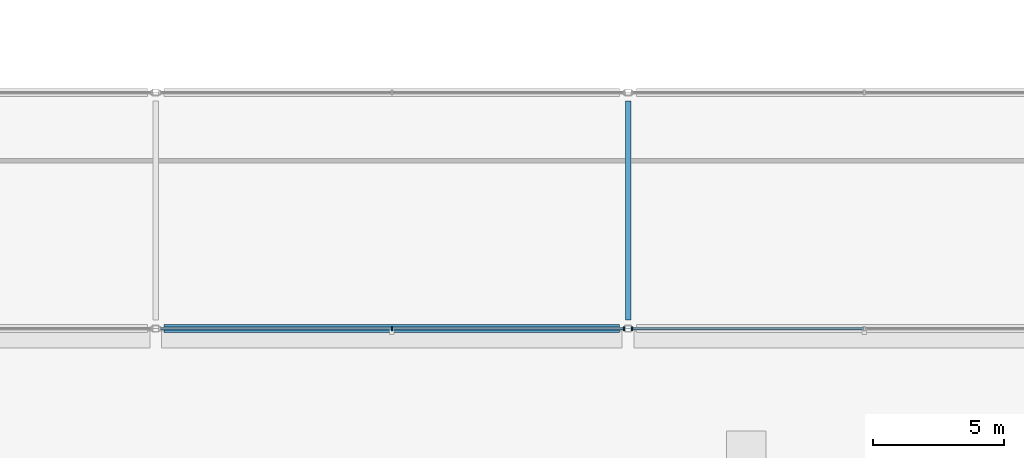
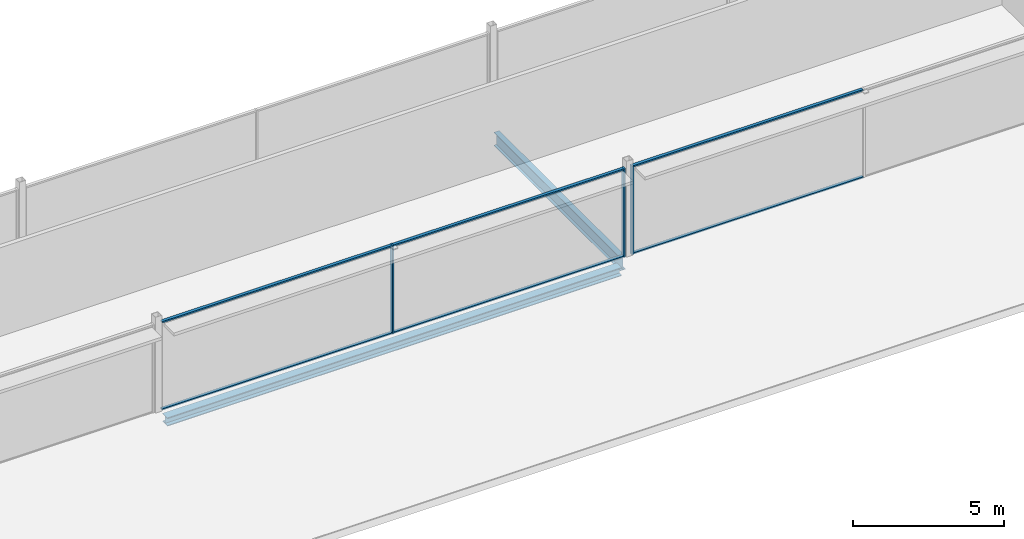
# One storey, part 34 of 105: 9 members, 2 beams, 2 elements without a shape of their own.
"""IFC4 building model written with IfcOpenShell, lengths in metres."""

from ifc_helpers import new_model, si_unit, direction, frame, origin, origin_2d, place, context, subcontext, project, spatial, rectangle, i_section, extrude, material, layer, layer_set, material_profile, profile_set, type_object, element, aggregate, save


model = new_model("IFC4")

# Units and contexts
model_context = context("Model", 3, precision=1e-05, world=origin(), true_north=direction((0.0, 1.0)))
body_context = subcontext(model_context, "Body", "Model", "MODEL_VIEW")
ifc_project = project(units=[si_unit("LENGTHUNIT", "METRE"), si_unit("AREAUNIT", "SQUARE_METRE"), si_unit("VOLUMEUNIT", "CUBIC_METRE"), si_unit("PLANEANGLEUNIT", "RADIAN"), si_unit("MASSUNIT", "GRAM", prefix="KILO")], contexts=[model_context])

# Site, building, storey
site_placement = place(None, origin())
site = spatial("IfcSite", under=ifc_project, at=site_placement, CompositionType="ELEMENT")
building_placement = place(site_placement, origin())
building = spatial("IfcBuilding", under=site, at=building_placement, Name="Kisiwana Market Hall", CompositionType="ELEMENT")
storey_placement = place(building_placement, frame((0.0, 0.0, 21.60009765625)))
storey = spatial("IfcBuildingStorey", under=building, at=storey_placement, Name="L04", CompositionType="ELEMENT", Elevation=21.60009765625)

# Beams
ifc_material_1 = material(Name="Steel S355", Category="steel")
ifc_material_profile_1 = material_profile(ifc_material_1, i_section(OverallWidth=0.209228515625, OverallDepth=0.533203125, WebThickness=0.010009765625, FlangeThickness=0.015625, at=origin_2d()), Name="UB 533x210x92")
ifc_profile_set_1 = profile_set([ifc_material_profile_1], Name="Steel S355")
beam_type_1 = type_object("IfcBeamType", Name="BM-GIRD-UB533", PredefinedType="BEAM", material=ifc_profile_set_1)
beam_1_placement = place(storey_placement, frame((81.0, 93.321044921875, -0.53173828125), z_axis=(0.0, 1.0, 0.0), x_axis=(-1.0, 0.0, 0.0)))
element("IfcBeam", 1, at=beam_1_placement, inside=storey, type_object=beam_type_1, Name="Primary girder B-1362", PredefinedType="BEAM", context=body_context, shape_type="SweptSolid", body=[
    extrude(i_section(OverallWidth=0.209228515625, OverallDepth=0.533203125, WebThickness=0.010009765625, FlangeThickness=0.015625, at=origin_2d()), origin(), (0.0, 0.0, 1.0), 8.35791015625),
])
ifc_material_2 = material(Name="Steel S355", Category="steel")
ifc_material_profile_2 = material_profile(ifc_material_2, i_section(OverallWidth=0.314453125, OverallDepth=0.33984375, WebThickness=0.01904296875, FlangeThickness=0.031494140625, at=origin_2d()), Name="UC 305x305x198")
ifc_profile_set_2 = profile_set([ifc_material_profile_2], Name="Steel S355")
beam_type_2 = type_object("IfcBeamType", Name="BM-SKYBR-CHORD", PredefinedType="BEAM", material=ifc_profile_set_2)
beam_2_placement = place(storey_placement, frame((63.321044921875, 93.0, -0.462158203125), z_axis=(1.0, 0.0, 0.0), x_axis=(0.0, 1.0, 0.0)))
element("IfcBeam", 2, at=beam_2_placement, inside=storey, type_object=beam_type_2, Name="Floor beam B-1462", PredefinedType="BEAM", context=body_context, shape_type="SweptSolid", body=[
    extrude(i_section(OverallWidth=0.314453125, OverallDepth=0.33984375, WebThickness=0.01904296875, FlangeThickness=0.031494140625, at=origin_2d()), origin(), (0.0, 0.0, 1.0), 17.35791015625),
])

# Curtain wall, members
ifc_material_3 = material(Name="Double-glazed solar-control low-E IGU", Category="glass")
ifc_layer = layer(ifc_material_3, 0.159912109375)
ifc_layer_set = layer_set([ifc_layer], Name="CW-ZNA-EW-8200")
curtain_wall_type = type_object("IfcCurtainWallType", Name="CW-ZNA-EW-8200", PredefinedType="USERDEFINED", material=ifc_layer_set)
curtain_wall_1_placement = place(storey_placement, origin())
curtain_wall_1 = element("IfcCurtainWall", 3, at=curtain_wall_1_placement, inside=storey, type_object=curtain_wall_type, Name="Unitised curtain wall CW-105 (L04)", ObjectType="UNITISED CURTAIN WALL", PredefinedType="USERDEFINED")
ifc_material_4 = material(Name="Aluminium alloy 6063-T6", Category="aluminium")
ifc_material_profile_3 = material_profile(ifc_material_4, rectangle(XDim=0.06005859375, YDim=0.159912109375, at=origin_2d()), Name="ALU MULLION 60x160")
ifc_profile_set_3 = profile_set([ifc_material_profile_3], Name="Aluminium alloy 6063-T6")
member_type_1 = type_object("IfcMemberType", Name="CW-MULL-60x160", PredefinedType="MULLION", material=ifc_profile_set_3)
member_1_placement = place(storey_placement, frame((72.0, 93.0, 0.0), z_axis=(0.0, 0.0, 1.0), x_axis=(1.0, 0.0, 0.0)))
member_1 = element("IfcMember", 4, at=member_1_placement, type_object=member_type_1, Name="CW-105 mullion 2", PredefinedType="MULLION", context=body_context, shape_type="SweptSolid", body=[
    extrude(rectangle(XDim=0.06005859375, YDim=0.159912109375, at=origin_2d()), origin(), (0.0, 0.0, 1.0), 3.5849609375),
])
member_2_placement = place(storey_placement, frame((80.844970703125, 93.0, 0.0), z_axis=(0.0, 0.0, 1.0), x_axis=(1.0, 0.0, 0.0)))
member_2 = element("IfcMember", 5, at=member_2_placement, type_object=member_type_1, Name="CW-105 mullion 3", PredefinedType="MULLION", context=body_context, shape_type="SweptSolid", body=[
    extrude(rectangle(XDim=0.06005859375, YDim=0.159912109375, at=origin_2d()), origin(), (0.0, 0.0, 1.0), 3.5849609375),
])

# Curtain wall, member
curtain_wall_2_placement = place(storey_placement, origin())
curtain_wall_2 = element("IfcCurtainWall", 6, at=curtain_wall_2_placement, inside=storey, type_object=curtain_wall_type, Name="Unitised curtain wall CW-106 (L04)", ObjectType="UNITISED CURTAIN WALL", PredefinedType="USERDEFINED")
member_3_placement = place(storey_placement, frame((81.155029296875, 93.0, 0.0), z_axis=(0.0, 0.0, 1.0), x_axis=(1.0, 0.0, 0.0)))
member_3 = element("IfcMember", 7, at=member_3_placement, type_object=member_type_1, Name="CW-106 mullion 1", PredefinedType="MULLION", context=body_context, shape_type="SweptSolid", body=[
    extrude(rectangle(XDim=0.06005859375, YDim=0.159912109375, at=origin_2d()), origin(), (0.0, 0.0, 1.0), 3.5849609375),
])

# Member
ifc_material_5 = material(Name="Aluminium alloy 6063-T6", Category="aluminium")
ifc_material_profile_4 = material_profile(ifc_material_5, rectangle(XDim=0.1201171875, YDim=0.06005859375, at=origin_2d()), Name="ALU TRANSOM 60x120")
ifc_profile_set_4 = profile_set([ifc_material_profile_4], Name="Aluminium alloy 6063-T6")
member_type_2 = type_object("IfcMemberType", Name="CW-TRAN-60x120", PredefinedType="USERDEFINED", material=ifc_profile_set_4)
member_4_placement = place(storey_placement, frame((63.18505859375, 93.0, 0.02978515625), z_axis=(1.0, 0.0, 0.0), x_axis=(0.0, 1.0, 0.0)))
member_4 = element("IfcMember", 8, at=member_4_placement, type_object=member_type_2, Name="CW-105 transom 1.1", ObjectType="TRANSOM", PredefinedType="USERDEFINED", context=body_context, shape_type="SweptSolid", body=[
    extrude(rectangle(XDim=0.1201171875, YDim=0.06005859375, at=origin_2d()), origin(), (0.0, 0.0, 1.0), 8.784912109375),
])

member_5_placement = place(storey_placement, frame((63.18505859375, 93.0, 3.554931640625), z_axis=(1.0, 0.0, 0.0), x_axis=(0.0, 1.0, 0.0)))
member_5 = element("IfcMember", 9, at=member_5_placement, type_object=member_type_2, Name="CW-105 transom 1.2", ObjectType="TRANSOM", PredefinedType="USERDEFINED", context=body_context, shape_type="SweptSolid", body=[
    extrude(rectangle(XDim=0.1201171875, YDim=0.06005859375, at=origin_2d()), origin(), (0.0, 0.0, 1.0), 8.784912109375),
])

member_6_placement = place(storey_placement, frame((72.030029296875, 93.0, 0.02978515625), z_axis=(1.0, 0.0, 0.0), x_axis=(0.0, 1.0, 0.0)))
member_6 = element("IfcMember", 10, at=member_6_placement, type_object=member_type_2, Name="CW-105 transom 2.1", ObjectType="TRANSOM", PredefinedType="USERDEFINED", context=body_context, shape_type="SweptSolid", body=[
    extrude(rectangle(XDim=0.1201171875, YDim=0.06005859375, at=origin_2d()), origin(), (0.0, 0.0, 1.0), 8.784912109375),
])

member_7_placement = place(storey_placement, frame((72.030029296875, 93.0, 3.554931640625), z_axis=(1.0, 0.0, 0.0), x_axis=(0.0, 1.0, 0.0)))
member_7 = element("IfcMember", 11, at=member_7_placement, type_object=member_type_2, Name="CW-105 transom 2.2", ObjectType="TRANSOM", PredefinedType="USERDEFINED", context=body_context, shape_type="SweptSolid", body=[
    extrude(rectangle(XDim=0.1201171875, YDim=0.06005859375, at=origin_2d()), origin(), (0.0, 0.0, 1.0), 8.784912109375),
])

aggregate(curtain_wall_1, [member_1, member_2, member_4, member_5, member_6, member_7])

member_8_placement = place(storey_placement, frame((81.18505859375, 93.0, 0.02978515625), z_axis=(1.0, 0.0, 0.0), x_axis=(0.0, 1.0, 0.0)))
member_8 = element("IfcMember", 12, at=member_8_placement, type_object=member_type_2, Name="CW-106 transom 1.1", ObjectType="TRANSOM", PredefinedType="USERDEFINED", context=body_context, shape_type="SweptSolid", body=[
    extrude(rectangle(XDim=0.1201171875, YDim=0.06005859375, at=origin_2d()), origin(), (0.0, 0.0, 1.0), 8.784912109375),
])

member_9_placement = place(storey_placement, frame((81.18505859375, 93.0, 3.554931640625), z_axis=(1.0, 0.0, 0.0), x_axis=(0.0, 1.0, 0.0)))
member_9 = element("IfcMember", 13, at=member_9_placement, type_object=member_type_2, Name="CW-106 transom 1.2", ObjectType="TRANSOM", PredefinedType="USERDEFINED", context=body_context, shape_type="SweptSolid", body=[
    extrude(rectangle(XDim=0.1201171875, YDim=0.06005859375, at=origin_2d()), origin(), (0.0, 0.0, 1.0), 8.784912109375),
])

aggregate(curtain_wall_2, [member_3, member_8, member_9])

save(model, "model.ifc")
